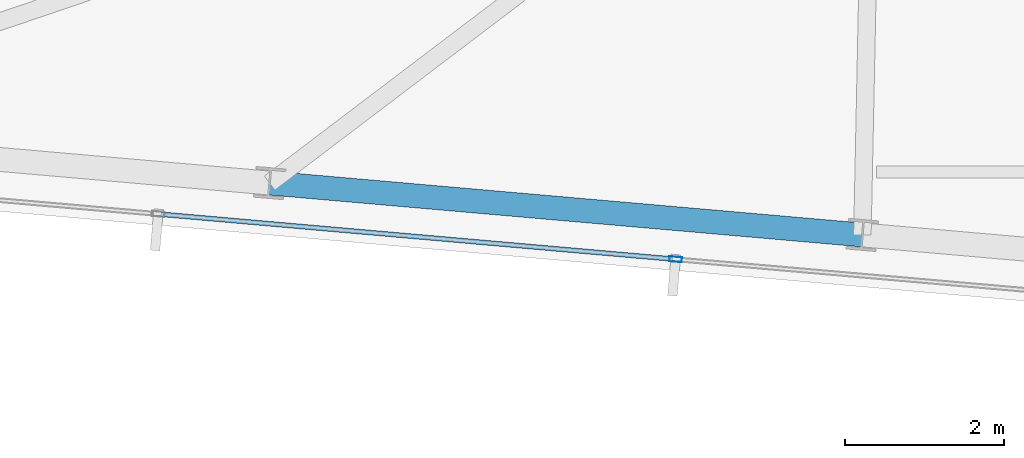
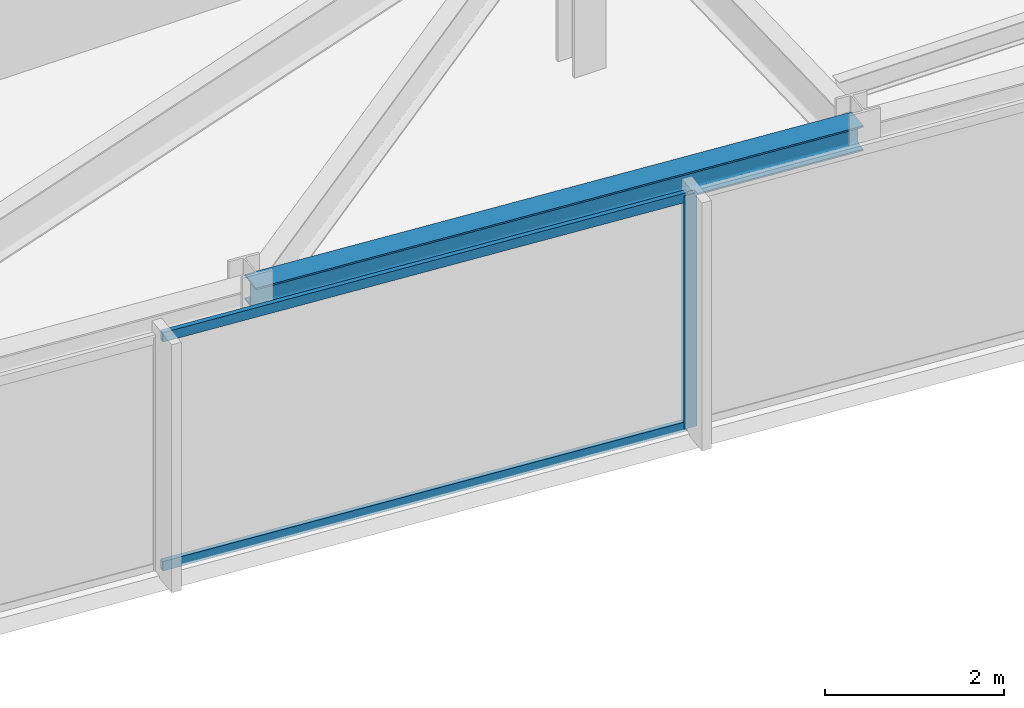
# One storey, part 3 of 32: 3 members, 1 beam, 1 element without a shape of its own.
"""IFC4 building model written with IfcOpenShell, lengths in metres."""

from ifc_helpers import new_model, si_unit, direction, frame, origin, origin_2d, place, context, subcontext, project, spatial, hollow_rectangle, i_section, extrude, material, material_profile, profile_set, type_object, element, aggregate, save


model = new_model("IFC4")

# Units and contexts
model_context = context("Model", 3, precision=1e-05, world=origin(), true_north=direction((0.0, 1.0)))
body_context = subcontext(model_context, "Body", "Model", "MODEL_VIEW")
ifc_project = project(units=[si_unit("LENGTHUNIT", "METRE"), si_unit("AREAUNIT", "SQUARE_METRE"), si_unit("VOLUMEUNIT", "CUBIC_METRE"), si_unit("PLANEANGLEUNIT", "RADIAN"), si_unit("MASSUNIT", "GRAM", prefix="KILO")], contexts=[model_context])

# Site, building, storey
site_placement = place(None, origin())
site = spatial("IfcSite", under=ifc_project, at=site_placement, CompositionType="ELEMENT")
building_placement = place(site_placement, origin())
building = spatial("IfcBuilding", under=site, at=building_placement, Name="Yelkora Congress Tower", CompositionType="ELEMENT")
storey_placement = place(building_placement, frame((0.0, 0.0, 269.300048828125)))
storey = spatial("IfcBuildingStorey", under=building, at=storey_placement, Name="L75", CompositionType="ELEMENT", Elevation=269.300048828125)

# Beam
ifc_material_1 = material(Name="Steel S355J2", Category="steel")
ifc_material_profile_1 = material_profile(ifc_material_1, i_section(OverallWidth=0.300048828125, OverallDepth=0.340087890625, WebThickness=0.011962890625, FlangeThickness=0.021484375, FilletRadius=0.027099609375, at=origin_2d()), Name="HEB 340")
ifc_profile_set_1 = profile_set([ifc_material_profile_1], Name="Steel S355J2")
beam_type = type_object("IfcBeamType", Name="BM-SPAN-HEB340", PredefinedType="SPANDREL", material=ifc_profile_set_1)
beam_placement = place(storey_placement, frame((15.452880859375, 19.445556640625, 3.010009765625), z_axis=(0.996193186297, -0.08717302092, 0.0), x_axis=(0.08717302092, 0.996193186297, 0.0)))
element("IfcBeam", 1, at=beam_placement, inside=storey, type_object=beam_type, Name="L75 Perimeter Beam 2", PredefinedType="SPANDREL", context=body_context, shape_type="SweptSolid", body=[
    extrude(i_section(OverallWidth=0.300048828125, OverallDepth=0.340087890625, WebThickness=0.011962890625, FlangeThickness=0.021484375, FilletRadius=0.027099609375, at=origin_2d()), origin(), (0.0, 0.0, 1.0), 7.4833984375),
])

# Curtain wall, members
ifc_material_2 = material(Name="Anodised aluminium and insulated glass", Category="aluminium")
curtain_wall_type = type_object("IfcCurtainWallType", Name="CW-SYS-B5", PredefinedType="NOTDEFINED", material=ifc_material_2)
curtain_wall_placement = place(storey_placement, origin())
curtain_wall = element("IfcCurtainWall", 2, at=curtain_wall_placement, inside=storey, type_object=curtain_wall_type, Name="L75 Unitised Curtain Wall 20", PredefinedType="NOTDEFINED")
ifc_material_3 = material(Name="Anodised aluminium 6063-T6", Category="aluminium")
ifc_material_profile_2 = material_profile(ifc_material_3, hollow_rectangle(XDim=0.06494140625, YDim=0.159912109375, WallThickness=0.00390625, at=origin_2d()), Name="ALU 65x160x4")
ifc_profile_set_2 = profile_set([ifc_material_profile_2], Name="Anodised aluminium 6063-T6")
member_type_1 = type_object("IfcMemberType", Name="MEM-ML-B5", PredefinedType="MULLION", material=ifc_profile_set_2)
member_1_placement = place(storey_placement, frame((20.558349609375, 18.487060546875, 0.0), z_axis=(0.0, 0.0, 1.0), x_axis=(-0.087156829793, -0.996194602987, 0.0)))
member_1 = element("IfcMember", 3, at=member_1_placement, type_object=member_type_1, Name="CW-B5 mullion 6", PredefinedType="MULLION", context=body_context, shape_type="SweptSolid", body=[
    extrude(hollow_rectangle(XDim=0.06494140625, YDim=0.159912109375, WallThickness=0.00390625, at=origin_2d()), origin(), (0.0, 0.0, 1.0), 3.179931640625),
])
ifc_material_profile_3 = material_profile(ifc_material_3, hollow_rectangle(XDim=0.06005859375, YDim=0.1298828125, WallThickness=0.00390625, at=origin_2d()), Name="ALU 60x130x4")
ifc_profile_set_3 = profile_set([ifc_material_profile_3], Name="Anodised aluminium 6063-T6")
member_type_2 = type_object("IfcMemberType", Name="MEM-TR-B5", PredefinedType="USERDEFINED", material=ifc_profile_set_3)
member_2_placement = place(storey_placement, frame((20.52587890625, 18.48974609375, 0.030029296875), z_axis=(-0.99619269288, 0.087178659385, 0.0), x_axis=(-0.087178659385, -0.99619269288, 0.0)))
member_2 = element("IfcMember", 4, at=member_2_placement, type_object=member_type_2, Name="CW-B5 transom 6.1", ObjectType="TRANSOM", PredefinedType="USERDEFINED", context=body_context, shape_type="SweptSolid", body=[
    extrude(hollow_rectangle(XDim=0.06005859375, YDim=0.1298828125, WallThickness=0.00390625, at=origin_2d()), origin(), (0.0, 0.0, 1.0), 6.46630859375),
])
member_3_placement = place(storey_placement, frame((20.52587890625, 18.48974609375, 3.14990234375), z_axis=(-0.99619269288, 0.087178659385, 0.0), x_axis=(-0.087178659385, -0.99619269288, 0.0)))
member_3 = element("IfcMember", 5, at=member_3_placement, type_object=member_type_2, Name="CW-B5 transom 6.2", ObjectType="TRANSOM", PredefinedType="USERDEFINED", context=body_context, shape_type="SweptSolid", body=[
    extrude(hollow_rectangle(XDim=0.06005859375, YDim=0.1298828125, WallThickness=0.00390625, at=origin_2d()), origin(), (0.0, 0.0, 1.0), 6.46630859375),
])
aggregate(curtain_wall, [member_1, member_2, member_3])

save(model, "model.ifc")
